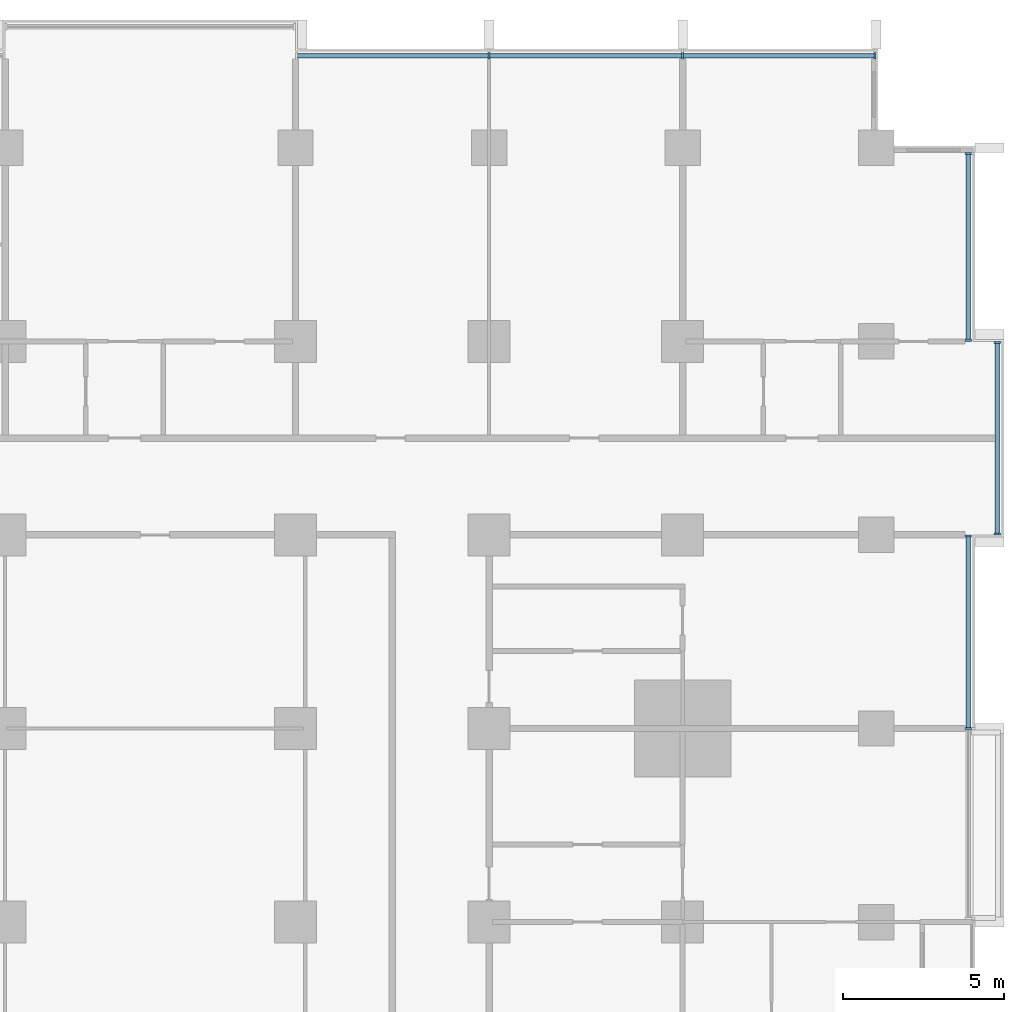
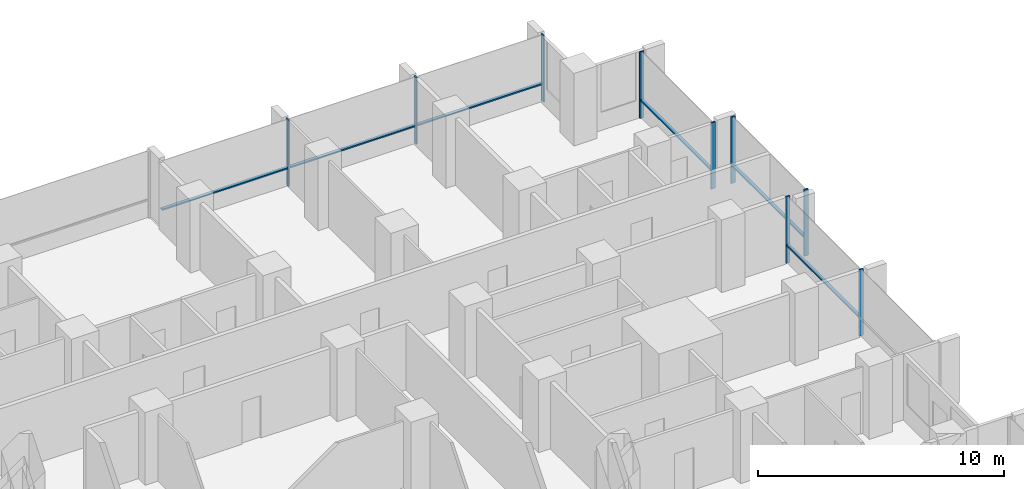
# One storey, part 5 of 17: 15 members, 4 elements without a shape of their own.
"""IFC4 building model written with IfcOpenShell, lengths in metres."""

from ifc_helpers import new_model, si_unit, direction, frame, origin, origin_2d, place, context, subcontext, project, spatial, rectangle, extrude, material, material_profile, profile_set, type_object, element, aggregate, save


model = new_model("IFC4")

# Units and contexts
model_context = context("Model", 3, precision=1e-05, world=origin(), true_north=direction((0.0, 1.0)))
body_context = subcontext(model_context, "Body", "Model", "MODEL_VIEW")
ifc_project = project(units=[si_unit("LENGTHUNIT", "METRE"), si_unit("AREAUNIT", "SQUARE_METRE"), si_unit("VOLUMEUNIT", "CUBIC_METRE"), si_unit("PLANEANGLEUNIT", "RADIAN"), si_unit("MASSUNIT", "GRAM", prefix="KILO")], contexts=[model_context])

# Site, building, storey
site_placement = place(None, origin())
site = spatial("IfcSite", under=ifc_project, at=site_placement, CompositionType="ELEMENT")
building_placement = place(site_placement, origin())
building = spatial("IfcBuilding", under=site, at=building_placement, Name="Finial Court Residences", CompositionType="ELEMENT")
storey_placement = place(building_placement, frame((0.0, 0.0, 64.89990234375)))
storey = spatial("IfcBuildingStorey", under=building, at=storey_placement, Name="L15", CompositionType="ELEMENT", Elevation=64.89990234375)

# Curtain wall, members
ifc_material = material(Name="Bronze anodised aluminium", Category="aluminium")
curtain_wall_type = type_object("IfcCurtainWallType", Name="Unitised curtain wall, lower and middle zones", PredefinedType="NOTDEFINED", material=ifc_material)
curtain_wall_1_placement = place(storey_placement, origin())
curtain_wall_1 = element("IfcCurtainWall", 1, at=curtain_wall_1_placement, inside=storey, type_object=curtain_wall_type, Name="E-L15-CW-N3", PredefinedType="NOTDEFINED")
ifc_material_profile_1 = material_profile(ifc_material, rectangle(XDim=0.199951171875, YDim=0.06494140625, at=origin_2d()), Name="CW1 mullion 65 x 200")
ifc_profile_set_1 = profile_set([ifc_material_profile_1], Name="Bronze anodised aluminium")
member_type_1 = type_object("IfcMemberType", Name="CW1 mullion 65 x 200", PredefinedType="MULLION", material=ifc_profile_set_1)
member_1_placement = place(storey_placement, frame((10.5, 28.35009765625, 0.0), z_axis=(0.0, 0.0, 1.0), x_axis=(0.0, 1.0, 0.0)))
member_1 = element("IfcMember", 2, at=member_1_placement, type_object=member_type_1, Name="CW1 mullion 2", PredefinedType="MULLION", context=body_context, shape_type="SweptSolid", body=[
    extrude(rectangle(XDim=0.199951171875, YDim=0.06494140625, at=origin_2d()), origin(), (0.0, 0.0, 1.0), 3.300048828125),
])
member_2_placement = place(storey_placement, frame((16.5, 28.35009765625, 0.0), z_axis=(0.0, 0.0, 1.0), x_axis=(0.0, 1.0, 0.0)))
member_2 = element("IfcMember", 3, at=member_2_placement, type_object=member_type_1, Name="CW1 mullion 3", PredefinedType="MULLION", context=body_context, shape_type="SweptSolid", body=[
    extrude(rectangle(XDim=0.199951171875, YDim=0.06494140625, at=origin_2d()), origin(), (0.0, 0.0, 1.0), 3.300048828125),
])
member_3_placement = place(storey_placement, frame((22.467529296875, 28.35009765625, 0.0), z_axis=(0.0, 0.0, 1.0), x_axis=(0.0, 1.0, 0.0)))
member_3 = element("IfcMember", 4, at=member_3_placement, type_object=member_type_1, Name="CW1 mullion 4", PredefinedType="MULLION", context=body_context, shape_type="SweptSolid", body=[
    extrude(rectangle(XDim=0.199951171875, YDim=0.06494140625, at=origin_2d()), origin(), (0.0, 0.0, 1.0), 3.300048828125),
])

curtain_wall_2_placement = place(storey_placement, origin())
curtain_wall_2 = element("IfcCurtainWall", 5, at=curtain_wall_2_placement, inside=storey, type_object=curtain_wall_type, Name="E-L15-CW-E5", PredefinedType="NOTDEFINED")
member_4_placement = place(storey_placement, frame((25.35009765625, 7.5, 0.0), z_axis=(0.0, 0.0, 1.0), x_axis=(-1.0, 0.0, 0.0)))
member_4 = element("IfcMember", 6, at=member_4_placement, type_object=member_type_1, Name="CW1 mullion 2", PredefinedType="MULLION", context=body_context, shape_type="SweptSolid", body=[
    extrude(rectangle(XDim=0.199951171875, YDim=0.06494140625, at=origin_2d()), origin(), (0.0, 0.0, 1.0), 3.300048828125),
])
member_5_placement = place(storey_placement, frame((25.35009765625, 13.467529296875, 0.0), z_axis=(0.0, 0.0, 1.0), x_axis=(-1.0, 0.0, 0.0)))
member_5 = element("IfcMember", 7, at=member_5_placement, type_object=member_type_1, Name="CW1 mullion 3", PredefinedType="MULLION", context=body_context, shape_type="SweptSolid", body=[
    extrude(rectangle(XDim=0.199951171875, YDim=0.06494140625, at=origin_2d()), origin(), (0.0, 0.0, 1.0), 3.300048828125),
])

curtain_wall_3_placement = place(storey_placement, origin())
curtain_wall_3 = element("IfcCurtainWall", 8, at=curtain_wall_3_placement, inside=storey, type_object=curtain_wall_type, Name="E-L15-CW-E6", PredefinedType="NOTDEFINED")
member_6_placement = place(storey_placement, frame((26.25, 13.532470703125, 0.0), z_axis=(0.0, 0.0, 1.0), x_axis=(-1.0, 0.0, 0.0)))
member_6 = element("IfcMember", 9, at=member_6_placement, type_object=member_type_1, Name="CW1 mullion 1", PredefinedType="MULLION", context=body_context, shape_type="SweptSolid", body=[
    extrude(rectangle(XDim=0.199951171875, YDim=0.06494140625, at=origin_2d()), origin(), (0.0, 0.0, 1.0), 3.300048828125),
])
member_7_placement = place(storey_placement, frame((26.25, 19.467529296875, 0.0), z_axis=(0.0, 0.0, 1.0), x_axis=(-1.0, 0.0, 0.0)))
member_7 = element("IfcMember", 10, at=member_7_placement, type_object=member_type_1, Name="CW1 mullion 2", PredefinedType="MULLION", context=body_context, shape_type="SweptSolid", body=[
    extrude(rectangle(XDim=0.199951171875, YDim=0.06494140625, at=origin_2d()), origin(), (0.0, 0.0, 1.0), 3.300048828125),
])

curtain_wall_4_placement = place(storey_placement, origin())
curtain_wall_4 = element("IfcCurtainWall", 11, at=curtain_wall_4_placement, inside=storey, type_object=curtain_wall_type, Name="E-L15-CW-E7", PredefinedType="NOTDEFINED")
member_8_placement = place(storey_placement, frame((25.35009765625, 19.532470703125, 0.0), z_axis=(0.0, 0.0, 1.0), x_axis=(-1.0, 0.0, 0.0)))
member_8 = element("IfcMember", 12, at=member_8_placement, type_object=member_type_1, Name="CW1 mullion 1", PredefinedType="MULLION", context=body_context, shape_type="SweptSolid", body=[
    extrude(rectangle(XDim=0.199951171875, YDim=0.06494140625, at=origin_2d()), origin(), (0.0, 0.0, 1.0), 3.300048828125),
])
member_9_placement = place(storey_placement, frame((25.35009765625, 25.3173828125, 0.0), z_axis=(0.0, 0.0, 1.0), x_axis=(-1.0, 0.0, 0.0)))
member_9 = element("IfcMember", 13, at=member_9_placement, type_object=member_type_1, Name="CW1 mullion 2", PredefinedType="MULLION", context=body_context, shape_type="SweptSolid", body=[
    extrude(rectangle(XDim=0.199951171875, YDim=0.06494140625, at=origin_2d()), origin(), (0.0, 0.0, 1.0), 3.300048828125),
])

# Member
ifc_material_profile_2 = material_profile(ifc_material, rectangle(XDim=0.14990234375, YDim=0.06494140625, at=origin_2d()), Name="CW1 transom 65 x 150")
ifc_profile_set_2 = profile_set([ifc_material_profile_2], Name="Bronze anodised aluminium")
member_type_2 = type_object("IfcMemberType", Name="CW1 transom 65 x 150", PredefinedType="USERDEFINED", material=ifc_profile_set_2)
member_10_placement = place(storey_placement, frame((4.56494140625, 28.35009765625, 0.900146484375), z_axis=(1.0, 0.0, 0.0), x_axis=(0.0, 1.0, 0.0)))
member_10 = element("IfcMember", 14, at=member_10_placement, type_object=member_type_2, Name="CW1 transom 1.1", ObjectType="TRANSOM", PredefinedType="USERDEFINED", context=body_context, shape_type="SweptSolid", body=[
    extrude(rectangle(XDim=0.14990234375, YDim=0.06494140625, at=origin_2d()), origin(), (0.0, 0.0, 1.0), 5.902587890625),
])

member_11_placement = place(storey_placement, frame((10.532470703125, 28.35009765625, 0.900146484375), z_axis=(1.0, 0.0, 0.0), x_axis=(0.0, 1.0, 0.0)))
member_11 = element("IfcMember", 15, at=member_11_placement, type_object=member_type_2, Name="CW1 transom 2.1", ObjectType="TRANSOM", PredefinedType="USERDEFINED", context=body_context, shape_type="SweptSolid", body=[
    extrude(rectangle(XDim=0.14990234375, YDim=0.06494140625, at=origin_2d()), origin(), (0.0, 0.0, 1.0), 5.93505859375),
])

member_12_placement = place(storey_placement, frame((16.532470703125, 28.35009765625, 0.900146484375), z_axis=(1.0, 0.0, 0.0), x_axis=(0.0, 1.0, 0.0)))
member_12 = element("IfcMember", 16, at=member_12_placement, type_object=member_type_2, Name="CW1 transom 3.1", ObjectType="TRANSOM", PredefinedType="USERDEFINED", context=body_context, shape_type="SweptSolid", body=[
    extrude(rectangle(XDim=0.14990234375, YDim=0.06494140625, at=origin_2d()), origin(), (0.0, 0.0, 1.0), 5.902587890625),
])

aggregate(curtain_wall_1, [member_1, member_2, member_3, member_10, member_11, member_12])

member_13_placement = place(storey_placement, frame((25.35009765625, 7.532470703125, 0.900146484375), z_axis=(0.0, 1.0, 0.0), x_axis=(-1.0, 0.0, 0.0)))
member_13 = element("IfcMember", 17, at=member_13_placement, type_object=member_type_2, Name="CW1 transom 2.1", ObjectType="TRANSOM", PredefinedType="USERDEFINED", context=body_context, shape_type="SweptSolid", body=[
    extrude(rectangle(XDim=0.14990234375, YDim=0.06494140625, at=origin_2d()), origin(), (0.0, 0.0, 1.0), 5.902587890625),
])

aggregate(curtain_wall_2, [member_4, member_5, member_13])

member_14_placement = place(storey_placement, frame((26.25, 13.56494140625, 0.900146484375), z_axis=(0.0, 1.0, 0.0), x_axis=(-1.0, 0.0, 0.0)))
member_14 = element("IfcMember", 18, at=member_14_placement, type_object=member_type_2, Name="CW1 transom 1.1", ObjectType="TRANSOM", PredefinedType="USERDEFINED", context=body_context, shape_type="SweptSolid", body=[
    extrude(rectangle(XDim=0.14990234375, YDim=0.06494140625, at=origin_2d()), origin(), (0.0, 0.0, 1.0), 5.8701171875),
])

aggregate(curtain_wall_3, [member_6, member_7, member_14])

member_15_placement = place(storey_placement, frame((25.35009765625, 19.56494140625, 0.900146484375), z_axis=(0.0, 1.0, 0.0), x_axis=(-1.0, 0.0, 0.0)))
member_15 = element("IfcMember", 19, at=member_15_placement, type_object=member_type_2, Name="CW1 transom 1.1", ObjectType="TRANSOM", PredefinedType="USERDEFINED", context=body_context, shape_type="SweptSolid", body=[
    extrude(rectangle(XDim=0.14990234375, YDim=0.06494140625, at=origin_2d()), origin(), (0.0, 0.0, 1.0), 5.719970703125),
])

aggregate(curtain_wall_4, [member_8, member_9, member_15])

save(model, "model.ifc")
